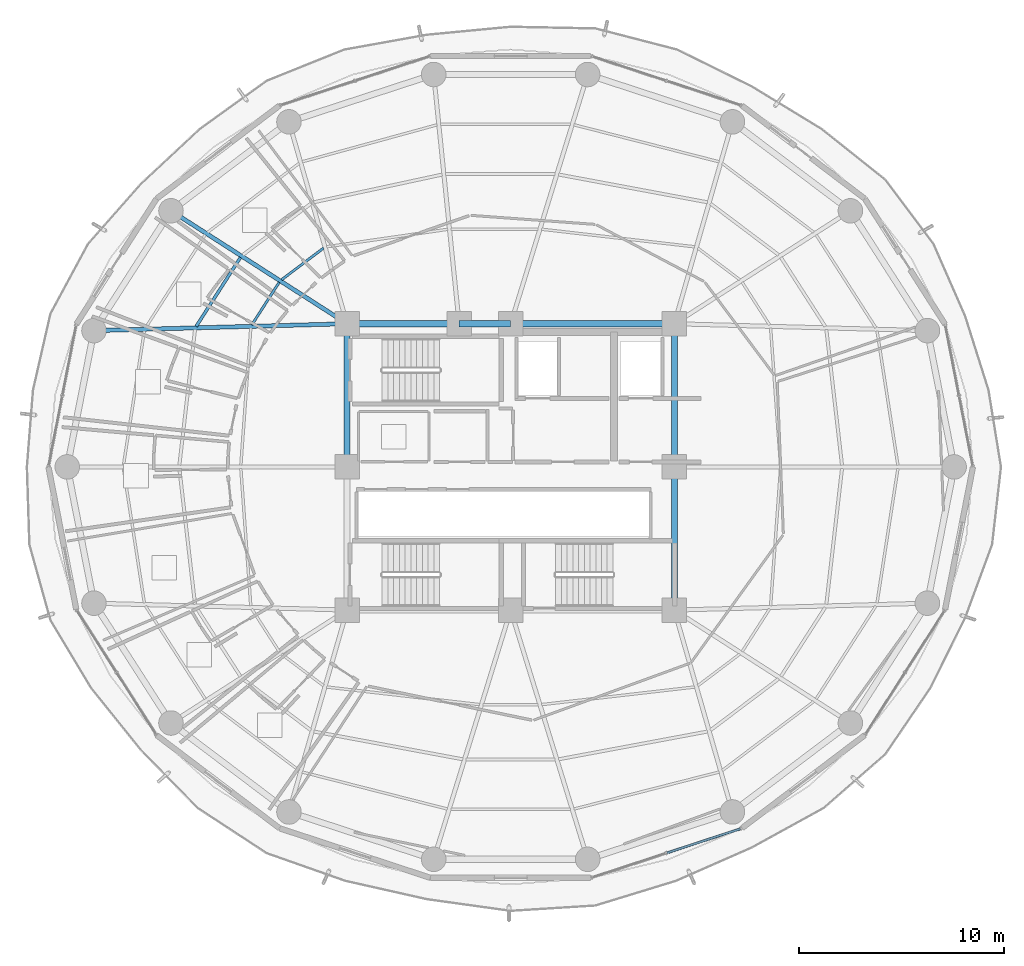
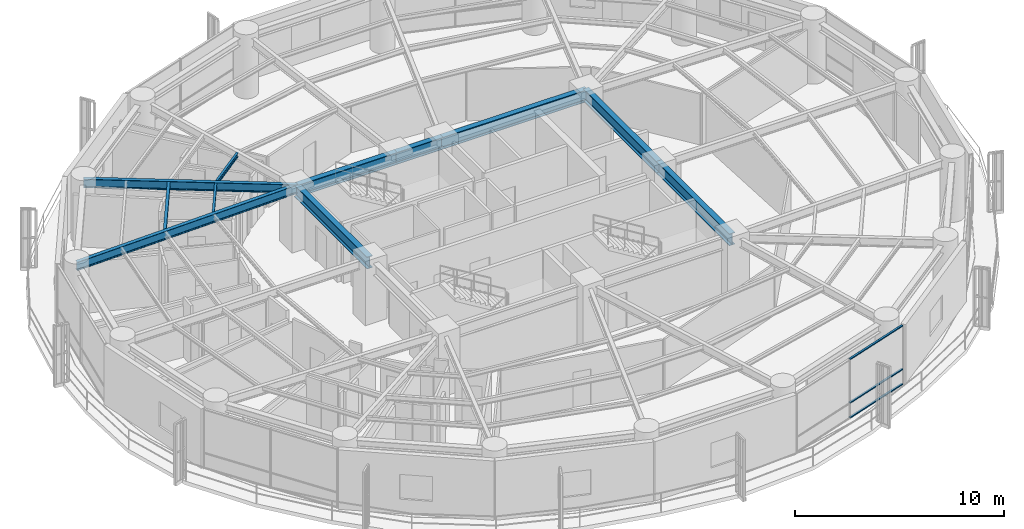
# One storey, part 9 of 28: 11 beams, 3 members, 1 element without a shape of its own.
"""IFC4 building model written with IfcOpenShell, lengths in metres."""

from ifc_helpers import new_model, si_unit, direction, frame, origin, origin_2d, place, context, subcontext, project, spatial, hollow_rectangle, i_section, extrude, material, layer, layer_set, material_profile, profile_set, type_object, element, aggregate, save


model = new_model("IFC4")

# Units and contexts
model_context = context("Model", 3, precision=1e-05, world=origin(), true_north=direction((0.0, 1.0)))
body_context = subcontext(model_context, "Body", "Model", "MODEL_VIEW")
ifc_project = project(units=[si_unit("LENGTHUNIT", "METRE"), si_unit("AREAUNIT", "SQUARE_METRE"), si_unit("VOLUMEUNIT", "CUBIC_METRE"), si_unit("PLANEANGLEUNIT", "RADIAN"), si_unit("MASSUNIT", "GRAM", prefix="KILO")], contexts=[model_context])

# Site, building, storey
site_placement = place(None, origin())
site = spatial("IfcSite", under=ifc_project, at=site_placement, CompositionType="ELEMENT")
building_placement = place(site_placement, origin())
building = spatial("IfcBuilding", under=site, at=building_placement, Name="Kelanora Arch Commons", CompositionType="ELEMENT")
storey_placement = place(building_placement, frame((0.0, 0.0, 176.85009765625)))
storey = spatial("IfcBuildingStorey", under=building, at=storey_placement, Name="L45", CompositionType="ELEMENT", Elevation=176.85009765625)

# Beams
ifc_material_1 = material(Name="Steel S355", Category="steel")
ifc_material_profile_1 = material_profile(ifc_material_1, i_section(OverallWidth=0.300048828125, OverallDepth=0.699951171875, WebThickness=0.01708984375, FlangeThickness=0.031982421875, FilletRadius=0.027099609375, at=origin_2d()), Name="HEB700")
ifc_profile_set_1 = profile_set([ifc_material_profile_1], Name="Steel S355")
beam_type_1 = type_object("IfcBeamType", Name="BM-CORE-HDR", PredefinedType="BEAM", material=ifc_profile_set_1)
for number, where, z_axis, x_axis, name in (
    (1, (82.0, 51.0, 3.139892578125), (0.0, 1.0, 0.0), (-1.0, 0.0, 0.0), "Core Header Beam 03 L45"),
    (2, (82.0, 58.0, 3.139892578125), (0.0, 1.0, 0.0), (-1.0, 0.0, 0.0), "Core Header Beam 04 L45"),
):
    element("IfcBeam", number, at=place(storey_placement, frame(where, z_axis=z_axis, x_axis=x_axis)), inside=storey, type_object=beam_type_1, Name=name, PredefinedType="BEAM", context=body_context, shape_type="SweptSolid", body=[
        extrude(i_section(OverallWidth=0.300048828125, OverallDepth=0.699951171875, WebThickness=0.01708984375, FlangeThickness=0.031982421875, FilletRadius=0.027099609375, at=origin_2d()), origin(), (0.0, 0.0, 1.0), 7.0),
    ])
beam_1_placement = place(storey_placement, frame((82.0, 65.0, 3.139892578125), z_axis=(-1.0, 0.0, 0.0), x_axis=(0.0, -1.0, 0.0)))
element("IfcBeam", 3, at=beam_1_placement, inside=storey, type_object=beam_type_1, Name="Core Header Beam 05 L45", PredefinedType="BEAM", context=body_context, shape_type="SweptSolid", body=[
    extrude(i_section(OverallWidth=0.300048828125, OverallDepth=0.699951171875, WebThickness=0.01708984375, FlangeThickness=0.031982421875, FilletRadius=0.027099609375, at=origin_2d()), origin(), (0.0, 0.0, 1.0), 8.0),
])
beam_2_placement = place(storey_placement, frame((74.0, 65.0, 3.139892578125), z_axis=(-1.0, 0.0, 0.0), x_axis=(0.0, -1.0, 0.0)))
element("IfcBeam", 4, at=beam_2_placement, inside=storey, type_object=beam_type_1, Name="Core Header Beam 06 L45", PredefinedType="BEAM", context=body_context, shape_type="SweptSolid", body=[
    extrude(i_section(OverallWidth=0.300048828125, OverallDepth=0.699951171875, WebThickness=0.01708984375, FlangeThickness=0.031982421875, FilletRadius=0.027099609375, at=origin_2d()), origin(), (0.0, 0.0, 1.0), 2.52001953125),
])
beam_3_placement = place(storey_placement, frame((71.47998046875, 65.0, 3.139892578125), z_axis=(-1.0, 0.0, 0.0), x_axis=(0.0, -1.0, 0.0)))
element("IfcBeam", 5, at=beam_3_placement, inside=storey, type_object=beam_type_1, Name="Core Header Beam 07 L45", PredefinedType="BEAM", context=body_context, shape_type="SweptSolid", body=[
    extrude(i_section(OverallWidth=0.300048828125, OverallDepth=0.699951171875, WebThickness=0.01708984375, FlangeThickness=0.031982421875, FilletRadius=0.027099609375, at=origin_2d()), origin(), (0.0, 0.0, 1.0), 5.47998046875),
])
beam_4_placement = place(storey_placement, frame((66.0, 65.0, 3.139892578125), z_axis=(0.0, -1.0, 0.0), x_axis=(1.0, 0.0, 0.0)))
element("IfcBeam", 6, at=beam_4_placement, inside=storey, type_object=beam_type_1, Name="Core Header Beam 08 L45", PredefinedType="BEAM", context=body_context, shape_type="SweptSolid", body=[
    extrude(i_section(OverallWidth=0.300048828125, OverallDepth=0.699951171875, WebThickness=0.01708984375, FlangeThickness=0.031982421875, FilletRadius=0.027099609375, at=origin_2d()), origin(), (0.0, 0.0, 1.0), 7.0),
])
ifc_material_profile_2 = material_profile(ifc_material_1, i_section(OverallWidth=0.14990234375, OverallDepth=0.300048828125, WebThickness=0.007080078125, FlangeThickness=0.0107421875, FilletRadius=0.014892578125, at=origin_2d()), Name="IPE300")
ifc_profile_set_2 = profile_set([ifc_material_profile_2], Name="Steel S355")
beam_type_2 = type_object("IfcBeamType", Name="BM-JST-01", PredefinedType="JOIST", material=ifc_profile_set_2)
beam_5_placement = place(storey_placement, frame((60.789306640625, 68.241455078125, 3.33984375), z_axis=(-0.540594434398, -0.841283339606, 0.0), x_axis=(0.841283339606, -0.540594434398, 0.0)))
element("IfcBeam", 7, at=beam_5_placement, inside=storey, type_object=beam_type_2, Name="Secondary Chord Joist BJB-14 L45", PredefinedType="JOIST", context=body_context, shape_type="SweptSolid", body=[
    extrude(i_section(OverallWidth=0.14990234375, OverallDepth=0.300048828125, WebThickness=0.007080078125, FlangeThickness=0.0107421875, FilletRadius=0.014892578125, at=origin_2d()), origin(), (0.0, 0.0, 1.0), 4.008544921875),
])
ifc_material_profile_3 = material_profile(ifc_material_1, i_section(OverallWidth=0.1201171875, OverallDepth=0.239990234375, WebThickness=0.006103515625, FlangeThickness=0.009765625, FilletRadius=0.014892578125, at=origin_2d()), Name="IPE240")
ifc_profile_set_3 = profile_set([ifc_material_profile_3], Name="Steel S355")
beam_type_3 = type_object("IfcBeamType", Name="BM-JST-02", PredefinedType="JOIST", material=ifc_profile_set_3)
beam_6_placement = place(storey_placement, frame((64.852783203125, 68.699462890625, 3.369873046875), z_axis=(-0.798484118859, -0.602015873487, 0.0), x_axis=(0.602015873487, -0.798484118859, 0.0)))
element("IfcBeam", 8, at=beam_6_placement, inside=storey, type_object=beam_type_3, Name="Secondary Chord Joist BJA-12 L45", PredefinedType="JOIST", context=body_context, shape_type="SweptSolid", body=[
    extrude(i_section(OverallWidth=0.1201171875, OverallDepth=0.239990234375, WebThickness=0.006103515625, FlangeThickness=0.009765625, FilletRadius=0.014892578125, at=origin_2d()), origin(), (0.0, 0.0, 1.0), 2.57470703125),
])
beam_7_placement = place(storey_placement, frame((62.68310546875, 67.026611328125, 3.369873046875), z_axis=(-0.540583174025, -0.841290575224, 0.0), x_axis=(0.841290575224, -0.540583174025, 0.0)))
element("IfcBeam", 9, at=beam_7_placement, inside=storey, type_object=beam_type_3, Name="Secondary Chord Joist BJA-14 L45", PredefinedType="JOIST", context=body_context, shape_type="SweptSolid", body=[
    extrude(i_section(OverallWidth=0.1201171875, OverallDepth=0.239990234375, WebThickness=0.006103515625, FlangeThickness=0.009765625, FilletRadius=0.014892578125, at=origin_2d()), origin(), (0.0, 0.0, 1.0), 2.476318359375),
])
ifc_material_profile_4 = material_profile(ifc_material_1, i_section(OverallWidth=0.199951171875, OverallDepth=0.5, WebThickness=0.01025390625, FlangeThickness=0.01611328125, FilletRadius=0.02099609375, at=origin_2d()), Name="IPE500")
ifc_profile_set_4 = profile_set([ifc_material_profile_4], Name="Steel S355")
beam_type_4 = type_object("IfcBeamType", Name="BM-RAD-Z3", PredefinedType="BEAM", material=ifc_profile_set_4)
beam_8_placement = place(storey_placement, frame((66.0, 65.0, 3.239990234375), z_axis=(-0.841719465748, 0.539915123868, 0.0), x_axis=(-0.539915123868, -0.841719465748, 0.0)))
element("IfcBeam", 10, at=beam_8_placement, inside=storey, type_object=beam_type_4, Name="Radial Floor Girder BR-14 L45", PredefinedType="BEAM", context=body_context, shape_type="SweptSolid", body=[
    extrude(i_section(OverallWidth=0.199951171875, OverallDepth=0.5, WebThickness=0.01025390625, FlangeThickness=0.01611328125, FilletRadius=0.02099609375, at=origin_2d()), origin(), (0.0, 0.0, 1.0), 10.2265625),
])
beam_9_placement = place(storey_placement, frame((66.0, 65.0, 3.239990234375), z_axis=(-0.999628374924, -0.027260081577, 0.0), x_axis=(0.027260081577, -0.999628374924, 0.0)))
element("IfcBeam", 11, at=beam_9_placement, inside=storey, type_object=beam_type_4, Name="Radial Floor Girder BR-16 L45", PredefinedType="BEAM", context=body_context, shape_type="SweptSolid", body=[
    extrude(i_section(OverallWidth=0.199951171875, OverallDepth=0.5, WebThickness=0.01025390625, FlangeThickness=0.01611328125, FilletRadius=0.02099609375, at=origin_2d()), origin(), (0.0, 0.0, 1.0), 12.377197265625),
])

# Curtain wall, members
ifc_material_2 = material(Name="Terracotta ceramic-fritted low-E glass and aluminium", Category="masonry")
ifc_layer = layer(ifc_material_2, 0.175048828125)
ifc_layer_set = layer_set([ifc_layer], Name="Terracotta ceramic-fritted low-E glass and aluminium")
curtain_wall_type = type_object("IfcCurtainWallType", Name="CW-SYS-02", PredefinedType="NOTDEFINED", material=ifc_layer_set)
curtain_wall_placement = place(storey_placement, origin())
curtain_wall = element("IfcCurtainWall", 12, at=curtain_wall_placement, inside=storey, type_object=curtain_wall_type, Name="Unitised Curtain Wall L45-B14", PredefinedType="NOTDEFINED")
ifc_material_3 = material(Name="Powder-coated aluminium terracotta", Category="masonry")
ifc_material_profile_5 = material_profile(ifc_material_3, hollow_rectangle(XDim=0.1201171875, YDim=0.06005859375, WallThickness=0.0048828125, InnerFilletRadius=0.0048828125, OuterFilletRadius=0.010009765625, at=origin_2d()), Name="CWT120x60")
ifc_profile_set_5 = profile_set([ifc_material_profile_5], Name="Powder-coated aluminium terracotta")
member_type = type_object("IfcMemberType", Name="CWT-STD", PredefinedType="USERDEFINED", material=ifc_profile_set_5)
member_1_placement = place(storey_placement, frame((81.640625, 39.130859375, 0.02978515625), z_axis=(0.950051191155, 0.312094111104, 0.0), x_axis=(-0.312094111104, 0.950051191155, 0.0)))
member_1 = element("IfcMember", 13, at=member_1_placement, type_object=member_type, Name="CW-02 transom 2.1", ObjectType="TRANSOM", PredefinedType="USERDEFINED", context=body_context, shape_type="SweptSolid", body=[
    extrude(hollow_rectangle(XDim=0.1201171875, YDim=0.06005859375, WallThickness=0.0048828125, InnerFilletRadius=0.0048828125, OuterFilletRadius=0.010009765625, at=origin_2d()), origin(), (0.0, 0.0, 1.0), 3.77685546875),
])
member_2_placement = place(storey_placement, frame((81.640625, 39.130859375, 0.89990234375), z_axis=(0.950051191155, 0.312094111104, 0.0), x_axis=(-0.312094111104, 0.950051191155, 0.0)))
member_2 = element("IfcMember", 14, at=member_2_placement, type_object=member_type, Name="CW-02 transom 2.2", ObjectType="TRANSOM", PredefinedType="USERDEFINED", context=body_context, shape_type="SweptSolid", body=[
    extrude(hollow_rectangle(XDim=0.1201171875, YDim=0.06005859375, WallThickness=0.0048828125, InnerFilletRadius=0.0048828125, OuterFilletRadius=0.010009765625, at=origin_2d()), origin(), (0.0, 0.0, 1.0), 3.77685546875),
])
member_3_placement = place(storey_placement, frame((81.640625, 39.130859375, 3.44482421875), z_axis=(0.950051191155, 0.312094111104, 0.0), x_axis=(-0.312094111104, 0.950051191155, 0.0)))
member_3 = element("IfcMember", 15, at=member_3_placement, type_object=member_type, Name="CW-02 transom 2.3", ObjectType="TRANSOM", PredefinedType="USERDEFINED", context=body_context, shape_type="SweptSolid", body=[
    extrude(hollow_rectangle(XDim=0.1201171875, YDim=0.06005859375, WallThickness=0.0048828125, InnerFilletRadius=0.0048828125, OuterFilletRadius=0.010009765625, at=origin_2d()), origin(), (0.0, 0.0, 1.0), 3.77685546875),
])
aggregate(curtain_wall, [member_1, member_2, member_3])

save(model, "model.ifc")
